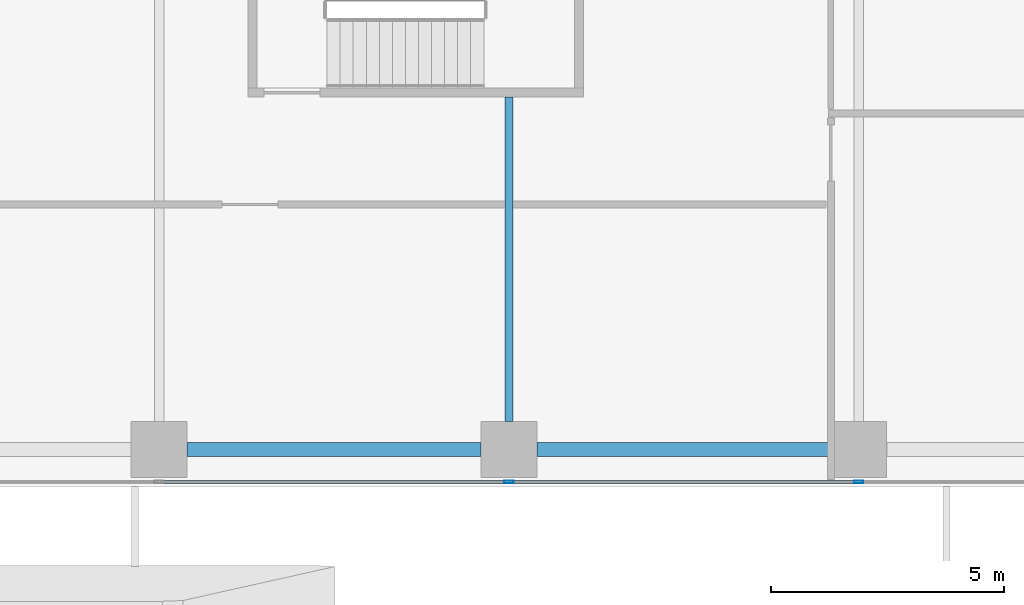
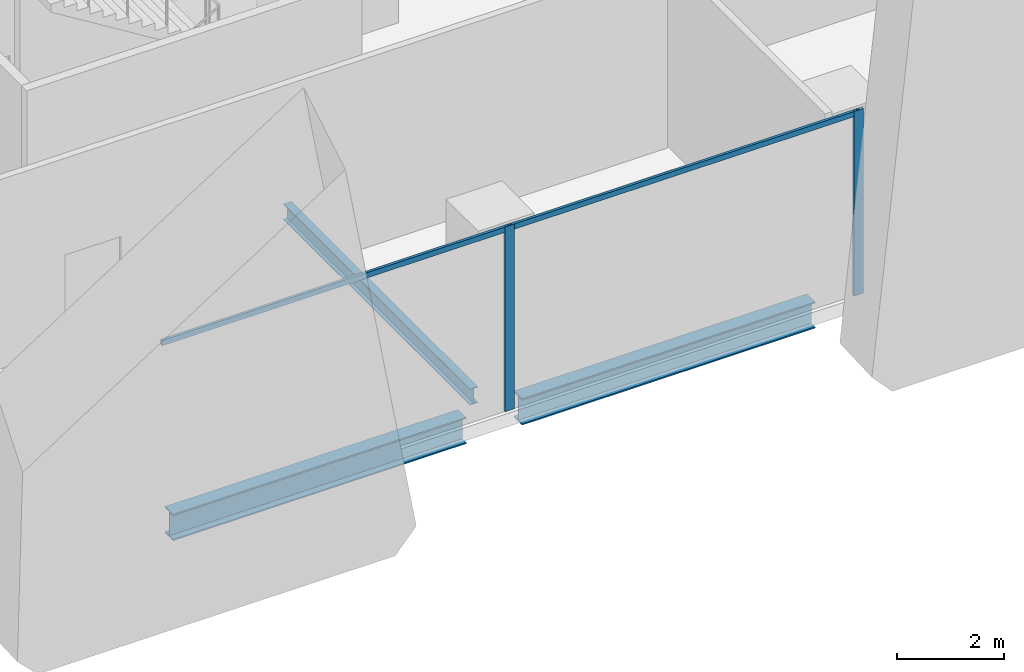
# One storey, part 3 of 34: 4 members, 3 beams, 1 element without a shape of its own.
"""IFC4 building model written with IfcOpenShell, lengths in metres."""

from ifc_helpers import new_model, si_unit, direction, frame, origin, origin_2d, place, context, subcontext, project, spatial, hollow_rectangle, i_section, extrude, source, transform, mapped, material, material_profile, profile_set, type_object, element, aggregate, save


model = new_model("IFC4")

# Units and contexts
model_context = context("Model", 3, precision=1e-05, world=origin(), true_north=direction((0.0, 1.0)))
body_context = subcontext(model_context, "Body", "Model", "MODEL_VIEW")
ifc_project = project(units=[si_unit("LENGTHUNIT", "METRE"), si_unit("AREAUNIT", "SQUARE_METRE"), si_unit("VOLUMEUNIT", "CUBIC_METRE"), si_unit("PLANEANGLEUNIT", "RADIAN"), si_unit("MASSUNIT", "GRAM", prefix="KILO")], contexts=[model_context])

# Site, building, storey
site_placement = place(None, origin())
site = spatial("IfcSite", under=ifc_project, at=site_placement, CompositionType="ELEMENT")
building_placement = place(site_placement, origin())
building = spatial("IfcBuilding", under=site, at=building_placement, Name="Khomas Fold Tower", CompositionType="ELEMENT")
storey_placement = place(building_placement, frame((0.0, 0.0, 51.0)))
storey = spatial("IfcBuildingStorey", under=building, at=storey_placement, Name="L10", CompositionType="ELEMENT", Elevation=51.0)

# Beams
ifc_material_1 = material(Name="Steel S355", Category="steel")
ifc_material_profile_1 = material_profile(ifc_material_1, i_section(OverallWidth=0.169921875, OverallDepth=0.360107421875, WebThickness=0.008056640625, FlangeThickness=0.0126953125, at=origin_2d()), Name="IPE 360")
ifc_profile_set_1 = profile_set([ifc_material_profile_1], Name="Steel S355")
beam_type_1 = type_object("IfcBeamType", Name="IPE 360 beam JB2", PredefinedType="BEAM", material=ifc_profile_set_1)
shared_shape_1 = source(origin(), body_context, "Body", "SweptSolid", [
    extrude(i_section(OverallWidth=0.169921875, OverallDepth=0.360107421875, WebThickness=0.008056640625, FlangeThickness=0.0126953125, at=origin_2d()), origin(), (0.0, 0.0, 1.0), 6.9501953125),
])
beam_placement = place(storey_placement, frame((19.5, 1.39990234375, -0.47998046875), z_axis=(0.0, 1.0, 0.0), x_axis=(-1.0, 0.0, 0.0)))
element("IfcBeam", 1, at=beam_placement, inside=storey, type_object=beam_type_1, Name="JB2", PredefinedType="BEAM", context=body_context, shape_type="MappedRepresentation", body=[
    mapped(shared_shape_1, transform((0.0, 0.0, 0.0))),
])
ifc_material_2 = material(Name="Steel S355", Category="steel")
ifc_material_profile_2 = material_profile(ifc_material_2, i_section(OverallWidth=0.300048828125, OverallDepth=0.60009765625, WebThickness=0.015380859375, FlangeThickness=0.030029296875, at=origin_2d()), Name="HE 600 B")
ifc_profile_set_2 = profile_set([ifc_material_profile_2], Name="Steel S355")
beam_type_2 = type_object("IfcBeamType", Name="HE 600 B spandrel SB1", PredefinedType="SPANDREL", material=ifc_profile_set_2)
shared_shape_2 = source(origin(), body_context, "Body", "SweptSolid", [
    extrude(i_section(OverallWidth=0.300048828125, OverallDepth=0.60009765625, WebThickness=0.015380859375, FlangeThickness=0.030029296875, at=origin_2d()), origin(), (0.0, 0.0, 1.0), 6.2998046875),
])
for number, where, z_axis, x_axis, name in (
    (2, (12.60009765625, 0.800048828125, -0.60009765625), (1.0, 0.0, 0.0), (0.0, 1.0, 0.0), "SB1"),
    (3, (20.10009765625, 0.800048828125, -0.60009765625), (1.0, 0.0, 0.0), (0.0, 1.0, 0.0), "SB1"),
):
    element("IfcBeam", number, at=place(storey_placement, frame(where, z_axis=z_axis, x_axis=x_axis)), inside=storey, type_object=beam_type_2, Name=name, PredefinedType="SPANDREL", context=body_context, shape_type="MappedRepresentation", body=[
        mapped(shared_shape_2, transform((0.0, 0.0, 0.0))),
    ])

# Curtain wall, members
ifc_material_3 = material(Name="Aluminium framed double glazing", Category="aluminium")
curtain_wall_type = type_object("IfcCurtainWallType", Name="SK-Unitised clear-glass wall, growing floors CW1", PredefinedType="NOTDEFINED", material=ifc_material_3)
curtain_wall_placement = place(storey_placement, origin())
curtain_wall = element("IfcCurtainWall", 4, at=curtain_wall_placement, inside=storey, type_object=curtain_wall_type, Name="CW1 run L10 00-0", PredefinedType="NOTDEFINED")
ifc_material_4 = material(Name="Aluminium", Category="aluminium")
ifc_material_profile_3 = material_profile(ifc_material_4, hollow_rectangle(XDim=0.06005859375, YDim=0.1201171875, WallThickness=0.00390625, at=origin_2d()), Name="SK-Unitised clear-glass wall, growing floors transom CW1-T")
ifc_profile_set_3 = profile_set([ifc_material_profile_3], Name="Aluminium")
member_type_1 = type_object("IfcMemberType", Name="SK-Unitised clear-glass wall, growing floors transom CW1-T", PredefinedType="USERDEFINED", material=ifc_profile_set_3)
shared_shape_3 = source(origin(), body_context, "Body", "SweptSolid", [
    extrude(hollow_rectangle(XDim=0.06005859375, YDim=0.1201171875, WallThickness=0.00390625, at=origin_2d()), origin(), (0.0, 0.0, 1.0), 7.43994140625),
])
member_1_placement = place(storey_placement, frame((12.030029296875, 0.10009765625, 4.139892578125), z_axis=(1.0, 0.0, 0.0), x_axis=(0.0, 1.0, 0.0)))
member_1 = element("IfcMember", 5, at=member_1_placement, type_object=member_type_1, Name="CW1 transom 3", ObjectType="TRANSOM", PredefinedType="USERDEFINED", context=body_context, shape_type="MappedRepresentation", body=[
    mapped(shared_shape_3, transform((0.0, 0.0, 0.0))),
])
member_2_placement = place(storey_placement, frame((19.530029296875, 0.10009765625, 4.139892578125), z_axis=(1.0, 0.0, 0.0), x_axis=(0.0, 1.0, 0.0)))
member_2 = element("IfcMember", 6, at=member_2_placement, type_object=member_type_1, Name="CW1 transom 4", ObjectType="TRANSOM", PredefinedType="USERDEFINED", context=body_context, shape_type="MappedRepresentation", body=[
    mapped(shared_shape_3, transform((0.0, 0.0, 0.0))),
])
ifc_material_5 = material(Name="Aluminium", Category="aluminium")
ifc_material_profile_4 = material_profile(ifc_material_5, hollow_rectangle(XDim=0.06005859375, YDim=0.199951171875, WallThickness=0.00390625, at=origin_2d()), Name="SK-Unitised clear-glass wall, growing floors mullion CW1-M")
ifc_profile_set_4 = profile_set([ifc_material_profile_4], Name="Aluminium")
member_type_2 = type_object("IfcMemberType", Name="SK-Unitised clear-glass wall, growing floors mullion CW1-M", PredefinedType="MULLION", material=ifc_profile_set_4)
shared_shape_4 = source(origin(), body_context, "Body", "SweptSolid", [
    extrude(hollow_rectangle(XDim=0.06005859375, YDim=0.199951171875, WallThickness=0.00390625, at=origin_2d()), origin(), (0.0, 0.0, 1.0), 4.199951171875),
])
member_3_placement = place(storey_placement, frame((19.5, 0.10009765625, 0.0), z_axis=(0.0, 0.0, 1.0), x_axis=(0.0, 1.0, 0.0)))
member_3 = element("IfcMember", 7, at=member_3_placement, type_object=member_type_2, Name="CW1 mullion 4", PredefinedType="MULLION", context=body_context, shape_type="MappedRepresentation", body=[
    mapped(shared_shape_4, transform((0.0, 0.0, 0.0))),
])
member_4_placement = place(storey_placement, frame((27.0, 0.10009765625, 0.0), z_axis=(0.0, 0.0, 1.0), x_axis=(0.0, 1.0, 0.0)))
member_4 = element("IfcMember", 8, at=member_4_placement, type_object=member_type_2, Name="CW1 mullion 5", PredefinedType="MULLION", context=body_context, shape_type="MappedRepresentation", body=[
    mapped(shared_shape_4, transform((0.0, 0.0, 0.0))),
])
aggregate(curtain_wall, [member_3, member_4, member_1, member_2])

save(model, "model.ifc")
